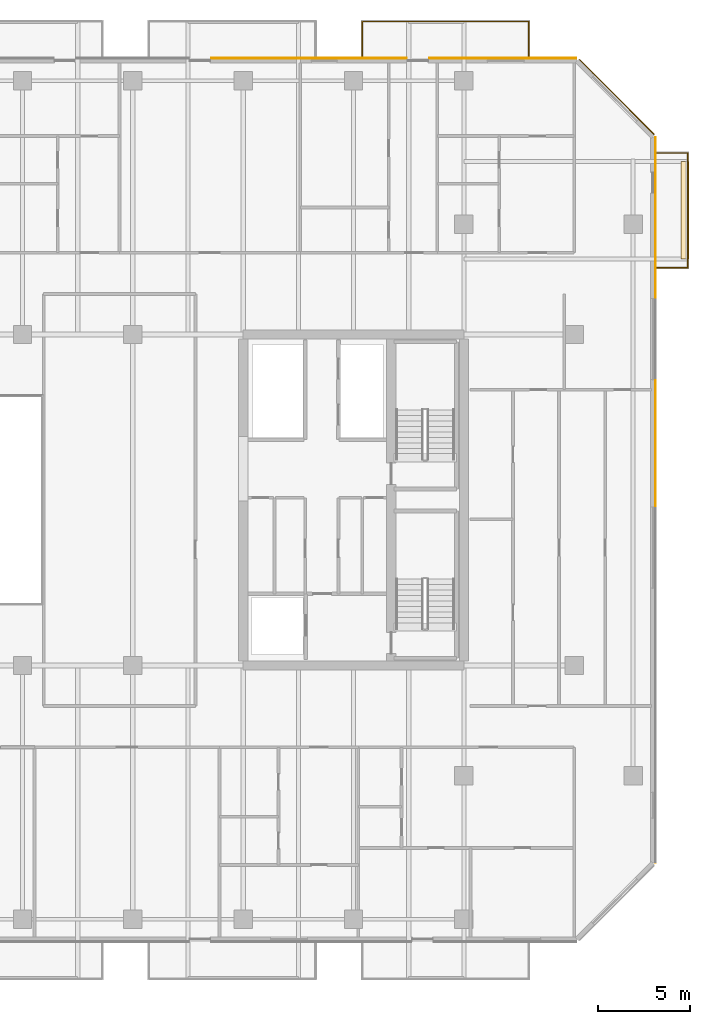
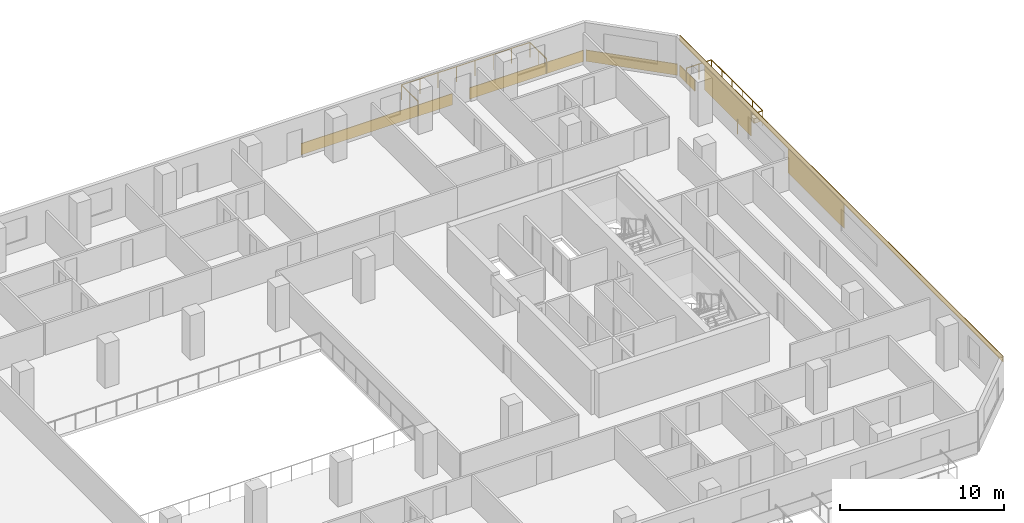
# One storey, part 23 of 23: 8 coverings, 2 railings.
"""IFC4 building model written with IfcOpenShell, lengths in metres."""

import ifcopenshell
import ifcopenshell.guid

model = None  # the IFC model being written
_history = None  # IfcOwnerHistory: only IFC2X3 demands one
_inside = {}  # id of a spatial element -> (the spatial element, [elements in it])
_under = {}  # id of a project, library or spatial element -> (it, [spatial elements below it])
_declared = {}  # id of a project -> (the project, [libraries it declares])
_typed = {}  # id of a type object -> (the type object, [elements of that type])
_made_of = {}  # id of a material, layer set ... -> (it, [elements and type objects made of it])


def new_model(schema):
    """Start an empty IFC model of exactly this schema.

    Asked for "IFC4X3", IfcOpenShell would pick the latest addendum, in which some entities
    have other attributes; the version numbers below select the first issue.
    IFC2X3 requires an IfcOwnerHistory on every rooted entity: one is made here for all.
    """
    global model, _history
    if schema == "IFC4X3":
        model = ifcopenshell.file(schema_version=(4, 3, 0, 0))
    else:
        model = ifcopenshell.file(schema=schema)
    _inside.clear()
    _under.clear()
    _declared.clear()
    _typed.clear()
    _made_of.clear()
    _history = None
    if model.schema == "IFC2X3":
        org = make("IfcOrganization", Name="unknown")
        user = make(
            "IfcPersonAndOrganization",
            ThePerson=make("IfcPerson", FamilyName="unknown"),
            TheOrganization=org,
        )
        app = make(
            "IfcApplication",
            ApplicationDeveloper=org,
            Version="unknown",
            ApplicationFullName="unknown",
            ApplicationIdentifier="unknown",
        )
        _history = make(
            "IfcOwnerHistory",
            OwningUser=user,
            OwningApplication=app,
            ChangeAction="ADDED",
            CreationDate=0,
        )
    return model


def make(cls, **values):
    """One entity of the class cls with the attributes given. An attribute that is None is left unset."""
    return model.create_entity(
        cls, **{name: value for name, value in values.items() if value is not None}
    )


def rooted(cls, **values):
    """An entity with a GlobalId (a new one), such as an element, a storey or a relation."""
    return make(cls, GlobalId=ifcopenshell.guid.new(), OwnerHistory=_history, **values)


def si_unit(unit_type, name, prefix=None):
    """IfcSIUnit, for example si_unit("LENGTHUNIT", "METRE", prefix="MILLI")."""
    return make("IfcSIUnit", UnitType=unit_type, Prefix=prefix, Name=name)


def assignment(units):
    """IfcUnitAssignment: the units of a project."""
    return None if units is None else make("IfcUnitAssignment", Units=units)


def point(xyz):
    """IfcCartesianPoint."""
    return None if xyz is None else make("IfcCartesianPoint", Coordinates=xyz)


def direction(xyz):
    """IfcDirection."""
    return None if xyz is None else make("IfcDirection", DirectionRatios=xyz)


def frame(location, z_axis=None, x_axis=None):
    """IfcAxis2Placement3D, a coordinate frame: its origin and axes. An axis left out is left unset."""
    return make(
        "IfcAxis2Placement3D",
        Location=point(location),
        Axis=direction(z_axis),
        RefDirection=direction(x_axis),
    )


def frame_2d(location, x_axis=None):
    """IfcAxis2Placement2D, a coordinate frame in the plane: its origin and x axis."""
    return make(
        "IfcAxis2Placement2D", Location=point(location), RefDirection=direction(x_axis)
    )


def origin():
    """The frame at (0, 0, 0) with its axes left unset."""
    return frame((0.0, 0.0, 0.0))


def origin_2d():
    """The frame at (0, 0) in the plane with its x axis left unset."""
    return frame_2d((0.0, 0.0))


def place(relative_to, where):
    """IfcLocalPlacement: puts the frame where relative to a parent placement (None: the world)."""
    return make(
        "IfcLocalPlacement", PlacementRelTo=relative_to, RelativePlacement=where
    )


def context(
    kind, dimensions, precision=None, world=None, true_north=None, identifier=None
):
    """IfcGeometricRepresentationContext, for example the 3D "Model" context."""
    return make(
        "IfcGeometricRepresentationContext",
        ContextIdentifier=identifier,
        ContextType=kind,
        CoordinateSpaceDimension=dimensions,
        Precision=precision,
        WorldCoordinateSystem=world,
        TrueNorth=true_north,
    )


def subcontext(parent, identifier, kind, view, scale=None):
    """IfcGeometricRepresentationSubContext, for example "Body" below "Model"."""
    return make(
        "IfcGeometricRepresentationSubContext",
        ContextIdentifier=identifier,
        ContextType=kind,
        ParentContext=parent,
        TargetScale=scale,
        TargetView=view,
    )


def project(units=None, contexts=None):
    """IfcProject with its units and contexts."""
    return rooted(
        "IfcProject",
        Name="project",
        RepresentationContexts=contexts,
        UnitsInContext=assignment(units),
    )


def spatial(cls, under=None, at=None, **own):
    """A site, building, storey or space (cls), placed at a placement, below another one or the project."""
    s = rooted(cls, ObjectPlacement=at, **own)
    if under is not None:
        _under.setdefault(under.id(), (under, []))[1].append(s)
    return s


def polyline(points):
    """IfcPolyline through the points."""
    return make("IfcPolyline", Points=[point(p) for p in points])


def profile(cls, at=None, kind="AREA", **sizes):
    """A parametric profile (cls). Its sizes go by their IFC names, for example OverallWidth=200.0."""
    return make(cls, ProfileType=kind, Position=at, **sizes)


def rectangle(**sizes):
    """IfcRectangleProfileDef."""
    return profile("IfcRectangleProfileDef", **sizes)


def outline(outer, holes=None, kind="AREA"):
    """IfcArbitraryClosedProfileDef: a profile drawn as a closed curve; with holes, ...WithVoids."""
    if holes is None:
        return make("IfcArbitraryClosedProfileDef", ProfileType=kind, OuterCurve=outer)
    return make(
        "IfcArbitraryProfileDefWithVoids",
        ProfileType=kind,
        OuterCurve=outer,
        InnerCurves=holes,
    )


def extrude(swept, where, along, depth):
    """IfcExtrudedAreaSolid: the profile swept, set in the frame where, extruded along a direction by depth."""
    return make(
        "IfcExtrudedAreaSolid",
        SweptArea=swept,
        Position=where,
        ExtrudedDirection=direction(along),
        Depth=depth,
    )


def shape(context_of_items, identifier, shape_type, items):
    """IfcShapeRepresentation: the items that make up one representation, for example the "Body"."""
    return make(
        "IfcShapeRepresentation",
        ContextOfItems=context_of_items,
        RepresentationIdentifier=identifier,
        RepresentationType=shape_type,
        Items=items,
    )


def material(Name=None, Category=None):
    """IfcMaterial."""
    return make("IfcMaterial", Name=Name, Category=Category)


def layer(
    of_material, thickness, ventilated=None, Name=None, Category=None, Priority=None
):
    """IfcMaterialLayer: one layer of a wall or slab, of a material (None: an air gap)."""
    return make(
        "IfcMaterialLayer",
        Material=of_material,
        LayerThickness=thickness,
        IsVentilated=ventilated,
        Name=Name,
        Category=Category,
        Priority=Priority,
    )


def layer_set(layers, Name=None):
    """IfcMaterialLayerSet."""
    return make("IfcMaterialLayerSet", MaterialLayers=layers, LayerSetName=Name)


def made_of(thing, what):
    """Note that an element or type object is made of a material, layer set ...; save() writes the relation."""
    if what is not None:
        _made_of.setdefault(what.id(), (what, []))[1].append(thing)
    return thing


def type_object(cls, material=None, **own):
    """A type object (cls), such as IfcWallType, which elements share."""
    return made_of(rooted(cls, **own), material)


def element(
    cls,
    number,
    at=None,
    inside=None,
    cuts=None,
    type_object=None,
    material=None,
    context=None,
    identifier="Body",
    shape_type=None,
    held_by="IfcProductDefinitionShape",
    body=None,
    shapes=None,
    **own,
):
    """One element of the class cls, such as IfcWall. Its Tag is "e" and its number.

    at: its placement. inside: the storey or other place that contains it. cuts: it is an
    opening in that element (IfcRelVoidsElement). A single representation is given by context,
    identifier, shape_type and body (its items); several are given by shapes. held_by: the class
    of the entity that holds the representations. save() writes the other relations.
    """
    e = rooted(cls, Tag="e%d" % number, ObjectPlacement=at, **own)
    if body is not None:
        shapes = [shape(context, identifier, shape_type, body)]
    if shapes is not None:
        e.Representation = make(held_by, Representations=shapes)
    if inside is not None:
        _inside.setdefault(inside.id(), (inside, []))[1].append(e)
    if cuts is not None:
        rooted(
            "IfcRelVoidsElement", RelatingBuildingElement=cuts, RelatedOpeningElement=e
        )
    if type_object is not None:
        _typed.setdefault(type_object.id(), (type_object, []))[1].append(e)
    return made_of(e, material)


def aggregate(whole, parts):
    """IfcRelAggregates: a whole, such as a stair, and the parts it consists of."""
    return rooted("IfcRelAggregates", RelatingObject=whole, RelatedObjects=parts)


def save(model, path):
    """Write the relations noted so far, then the file.

    IfcRelAggregates (storeys below a building ...), IfcRelContainedInSpatialStructure (elements
    in a storey), IfcRelDefinesByType, IfcRelAssociatesMaterial and IfcRelDeclares: one each for
    every whole, place, type object, material and project.
    """
    for whole, parts in _under.values():
        aggregate(whole, parts)
    for where, things in _inside.values():
        rooted(
            "IfcRelContainedInSpatialStructure",
            RelatedElements=things,
            RelatingStructure=where,
        )
    for kind, things in _typed.values():
        rooted("IfcRelDefinesByType", RelatedObjects=things, RelatingType=kind)
    for what, things in _made_of.values():
        rooted("IfcRelAssociatesMaterial", RelatedObjects=things, RelatingMaterial=what)
    for by, libraries in _declared.values():
        rooted("IfcRelDeclares", RelatingContext=by, RelatedDefinitions=libraries)
    model.write(path)


model = new_model("IFC4")

# Units and contexts
model_context = context("Model", 3, precision=1e-05, world=origin(), true_north=direction((0.0, 1.0)))
body_context = subcontext(model_context, "Body", "Model", "MODEL_VIEW")
ifc_project = project(units=[si_unit("LENGTHUNIT", "METRE"), si_unit("AREAUNIT", "SQUARE_METRE"), si_unit("VOLUMEUNIT", "CUBIC_METRE"), si_unit("PLANEANGLEUNIT", "RADIAN"), si_unit("MASSUNIT", "GRAM", prefix="KILO")], contexts=[model_context])

# Site, building, storey
site_placement = place(None, origin())
site = spatial("IfcSite", under=ifc_project, at=site_placement, CompositionType="ELEMENT")
building_placement = place(site_placement, origin())
building = spatial("IfcBuilding", under=site, at=building_placement, Name="Tanjung Sevakor Pilgrim Tower", CompositionType="ELEMENT")
storey_placement = place(building_placement, frame((0.0, 0.0, 85.469970703125)))
storey = spatial("IfcBuildingStorey", under=building, at=storey_placement, Name="L23", CompositionType="ELEMENT", Elevation=85.469970703125)

# Coverings
ifc_material_1 = material(Name="Reconstructed Limestone Cladding", Category="masonry")
ifc_layer_1 = layer(ifc_material_1, 0.044921875)
ifc_layer_set_1 = layer_set([ifc_layer_1], Name="COV-CLAD-LIMESTONE")
covering_type_1 = type_object("IfcCoveringType", Name="COV-CLAD-LIMESTONE", PredefinedType="CLADDING", material=ifc_layer_set_1)
covering_1_placement = place(storey_placement, frame((100.422607421875, 52.384033203125, 0.009765625), z_axis=(0.0, 0.0, 1.0), x_axis=(0.0, 1.0, 0.0)))
element("IfcCovering", 1, at=covering_1_placement, inside=storey, type_object=covering_type_1, Name="L23 Warm Limestone Sill Spandrel EW-L23-MAIN-7-2", PredefinedType="CLADDING", context=body_context, shape_type="SweptSolid", body=[
    extrude(rectangle(XDim=1.84814453125, YDim=0.044921875, at=origin_2d()), origin(), (0.0, 0.0, 1.0), 0.840087890625),
])
covering_2_placement = place(storey_placement, frame((100.422607421875, 33.60009765625, 2.66015625), z_axis=(0.0, 0.0, 1.0), x_axis=(0.0, 1.0, 0.0)))
element("IfcCovering", 2, at=covering_2_placement, inside=storey, type_object=covering_type_1, Name="L23 Warm Limestone Cornice Spandrel EW-L23-MAIN-7", PredefinedType="CLADDING", context=body_context, shape_type="SweptSolid", body=[
    extrude(rectangle(XDim=39.456298828125, YDim=0.044921875, at=origin_2d()), origin(), (0.0, 0.0, 1.0), 0.409912109375),
])
covering_3_placement = place(storey_placement, frame((100.422607421875, 36.679931640625, 0.85009765625), z_axis=(0.0, 0.0, 1.0), x_axis=(0.0, 1.0, 0.0)))
element("IfcCovering", 3, at=covering_3_placement, inside=storey, type_object=covering_type_1, Name="L23 Warm Limestone Pier Panel EW-L23-MAIN-7-2", PredefinedType="CLADDING", context=body_context, shape_type="SweptSolid", body=[
    extrude(rectangle(XDim=6.840087890625, YDim=0.044921875, at=origin_2d()), origin(), (0.0, 0.0, 1.0), 1.81005859375),
])
covering_4_placement = place(storey_placement, frame((100.422607421875, 47.425048828125, 0.85009765625), z_axis=(0.0, 0.0, 1.0), x_axis=(0.0, 1.0, 0.0)))
element("IfcCovering", 4, at=covering_4_placement, inside=storey, type_object=covering_type_1, Name="L23 Warm Limestone Pier Panel EW-L23-MAIN-7-3", PredefinedType="CLADDING", context=body_context, shape_type="SweptSolid", body=[
    extrude(rectangle(XDim=5.64990234375, YDim=0.044921875, at=origin_2d()), origin(), (0.0, 0.0, 1.0), 1.81005859375),
])
covering_5_placement = place(storey_placement, frame((98.31591796875, 55.515869140625, 0.009765625), z_axis=(0.0, 0.0, 1.0), x_axis=(-0.707106781187, 0.707106781187, 0.0)))
element("IfcCovering", 5, at=covering_5_placement, inside=storey, type_object=covering_type_1, Name="L23 Warm Limestone Sill Spandrel EW-CHM-L23-MAIN-7-1", PredefinedType="CLADDING", context=body_context, shape_type="SweptSolid", body=[
    extrude(rectangle(XDim=5.756103515625, YDim=0.044921875, at=origin_2d()), origin(), (0.0, 0.0, 1.0), 0.840087890625),
])
covering_6_placement = place(storey_placement, frame((92.109130859375, 57.62255859375, 0.009765625), z_axis=(0.0, 0.0, 1.0), x_axis=(-1.0, 0.0, 0.0)))
element("IfcCovering", 6, at=covering_6_placement, inside=storey, type_object=covering_type_1, Name="L23 Warm Limestone Sill Spandrel EW-L23-MAIN-9-1", PredefinedType="CLADDING", context=body_context, shape_type="SweptSolid", body=[
    extrude(rectangle(XDim=7.998291015625, YDim=0.044921875, at=origin_2d()), origin(), (0.0, 0.0, 1.0), 0.840087890625),
])
covering_7_placement = place(storey_placement, frame((81.574951171875, 57.62255859375, 0.009765625), z_axis=(0.0, 0.0, 1.0), x_axis=(-1.0, 0.0, 0.0)))
element("IfcCovering", 7, at=covering_7_placement, inside=storey, type_object=covering_type_1, Name="L23 Warm Limestone Sill Spandrel EW-L23-MAIN-9-2", PredefinedType="CLADDING", context=body_context, shape_type="SweptSolid", body=[
    extrude(rectangle(XDim=10.6298828125, YDim=0.044921875, at=origin_2d()), origin(), (0.0, 0.0, 1.0), 0.840087890625),
])
ifc_material_2 = material(Name="Vegetated Modular Planter Assembly", Category="organic")
ifc_layer_2 = layer(ifc_material_2, 0.35009765625)
ifc_layer_set_2 = layer_set([ifc_layer_2], Name="COV-GRN-TROUGH")
covering_type_2 = type_object("IfcCoveringType", Name="COV-GRN-TROUGH", PredefinedType="CLADDING", material=ifc_layer_set_2)
covering_8_placement = place(storey_placement, origin())
element("IfcCovering", 8, at=covering_8_placement, inside=storey, type_object=covering_type_2, Name="L23 Planted Landscape Hedge Trough BGRN-L23-MAIN-E1", PredefinedType="CLADDING", context=body_context, shape_type="SweptSolid", body=[
    extrude(outline(polyline([(102.25, 46.699951171875), (102.25, 52.0), (101.81005859375, 52.0), (101.81005859375, 46.699951171875), (102.25, 46.699951171875)])), origin(), (0.0, 0.0, 1.0), 0.35009765625),
])

# Railings
ifc_material_3 = material(Name="Laminated Glass and Aluminium", Category="aluminium")
railing_type = type_object("IfcRailingType", Name="RL-BAL-BALUST", PredefinedType="BALUSTRADE", material=ifc_material_3)
railing_1_placement = place(storey_placement, frame((84.47998046875, 57.60009765625, 0.0)))
element("IfcRailing", 9, at=railing_1_placement, inside=storey, type_object=railing_type, Name="L23 Loggia Balustrade MAIN-N4", PredefinedType="BALUSTRADE", context=body_context, shape_type="SweptSolid", body=[
    extrude(rectangle(XDim=0.0479, YDim=0.0479), frame((0.0, 0.0, 1.1259765625), z_axis=(0.0, 1.0, 0.0), x_axis=(-1.0, 0.0, 0.0)), (0.0, 0.0, 1.0), 2.02001953125),
    extrude(rectangle(XDim=0.0479, YDim=0.0479), frame((0.0, 2.02001953125, 1.1259765625), z_axis=(1.0, 0.0, 0.0), x_axis=(0.0, 1.0, 0.0)), (0.0, 0.0, 1.0), 9.0400390625),
    extrude(rectangle(XDim=0.0479, YDim=0.0479), frame((9.0400390625, 2.02001953125, 1.1259765625), z_axis=(0.0, -1.0, 0.0), x_axis=(1.0, 0.0, 0.0)), (0.0, 0.0, 1.0), 2.02001953125),
    extrude(rectangle(XDim=0.042, YDim=0.042), origin(), (0.0, 0.0, 1.0), 1.101806640625),
    extrude(rectangle(XDim=0.042, YDim=0.042), frame((0.0, 1.010009765625, 0.0)), (0.0, 0.0, 1.0), 1.101806640625),
    extrude(rectangle(XDim=0.042, YDim=0.042), frame((0.0, 2.02001953125, 0.0)), (0.0, 0.0, 1.0), 1.101806640625),
    extrude(rectangle(XDim=0.042, YDim=0.042), frame((1.29150390625, 2.02001953125, 0.0)), (0.0, 0.0, 1.0), 1.101806640625),
    extrude(rectangle(XDim=0.042, YDim=0.042), frame((2.582763671875, 2.02001953125, 0.0)), (0.0, 0.0, 1.0), 1.101806640625),
    extrude(rectangle(XDim=0.042, YDim=0.042), frame((3.874267578125, 2.02001953125, 0.0)), (0.0, 0.0, 1.0), 1.101806640625),
    extrude(rectangle(XDim=0.042, YDim=0.042), frame((5.165771484375, 2.02001953125, 0.0)), (0.0, 0.0, 1.0), 1.101806640625),
    extrude(rectangle(XDim=0.042, YDim=0.042), frame((6.457275390625, 2.02001953125, 0.0)), (0.0, 0.0, 1.0), 1.101806640625),
    extrude(rectangle(XDim=0.042, YDim=0.042), frame((7.74853515625, 2.02001953125, 0.0)), (0.0, 0.0, 1.0), 1.101806640625),
    extrude(rectangle(XDim=0.042, YDim=0.042), frame((9.0400390625, 2.02001953125, 0.0)), (0.0, 0.0, 1.0), 1.101806640625),
    extrude(rectangle(XDim=0.042, YDim=0.042), frame((9.0400390625, 1.010009765625, 0.0)), (0.0, 0.0, 1.0), 1.101806640625),
    extrude(rectangle(XDim=0.042, YDim=0.042), frame((9.0400390625, 0.0, 0.0)), (0.0, 0.0, 1.0), 1.101806640625),
])
railing_2_placement = place(storey_placement, frame((100.39990234375, 46.22998046875, 0.0)))
element("IfcRailing", 10, at=railing_2_placement, inside=storey, type_object=railing_type, Name="L23 Loggia Balustrade MAIN-E1", PredefinedType="BALUSTRADE", context=body_context, shape_type="SweptSolid", body=[
    extrude(rectangle(XDim=0.0479, YDim=0.0479), frame((0.0, 0.0, 1.1259765625), z_axis=(1.0, 0.0, 0.0), x_axis=(0.0, 1.0, 0.0)), (0.0, 0.0, 1.0), 1.77001953125),
    extrude(rectangle(XDim=0.0479, YDim=0.0479), frame((1.77001953125, 0.0, 1.1259765625), z_axis=(0.0, 1.0, 0.0), x_axis=(-1.0, 0.0, 0.0)), (0.0, 0.0, 1.0), 6.239990234375),
    extrude(rectangle(XDim=0.0479, YDim=0.0479), frame((1.77001953125, 6.239990234375, 1.1259765625), z_axis=(-1.0, 0.0, 0.0), x_axis=(0.0, -1.0, 0.0)), (0.0, 0.0, 1.0), 1.77001953125),
    extrude(rectangle(XDim=0.042, YDim=0.042), origin(), (0.0, 0.0, 1.0), 1.101806640625),
    extrude(rectangle(XDim=0.042, YDim=0.042), frame((0.885009765625, 0.0, 0.0)), (0.0, 0.0, 1.0), 1.101806640625),
    extrude(rectangle(XDim=0.042, YDim=0.042), frame((1.77001953125, 0.0, 0.0)), (0.0, 0.0, 1.0), 1.101806640625),
    extrude(rectangle(XDim=0.042, YDim=0.042), frame((1.77001953125, 1.248046875, 0.0)), (0.0, 0.0, 1.0), 1.101806640625),
    extrude(rectangle(XDim=0.042, YDim=0.042), frame((1.77001953125, 2.49609375, 0.0)), (0.0, 0.0, 1.0), 1.101806640625),
    extrude(rectangle(XDim=0.042, YDim=0.042), frame((1.77001953125, 3.743896484375, 0.0)), (0.0, 0.0, 1.0), 1.101806640625),
    extrude(rectangle(XDim=0.042, YDim=0.042), frame((1.77001953125, 4.991943359375, 0.0)), (0.0, 0.0, 1.0), 1.101806640625),
    extrude(rectangle(XDim=0.042, YDim=0.042), frame((1.77001953125, 6.239990234375, 0.0)), (0.0, 0.0, 1.0), 1.101806640625),
    extrude(rectangle(XDim=0.042, YDim=0.042), frame((0.885009765625, 6.239990234375, 0.0)), (0.0, 0.0, 1.0), 1.101806640625),
    extrude(rectangle(XDim=0.042, YDim=0.042), frame((0.0, 6.239990234375, 0.0)), (0.0, 0.0, 1.0), 1.101806640625),
])

save(model, "model.ifc")
